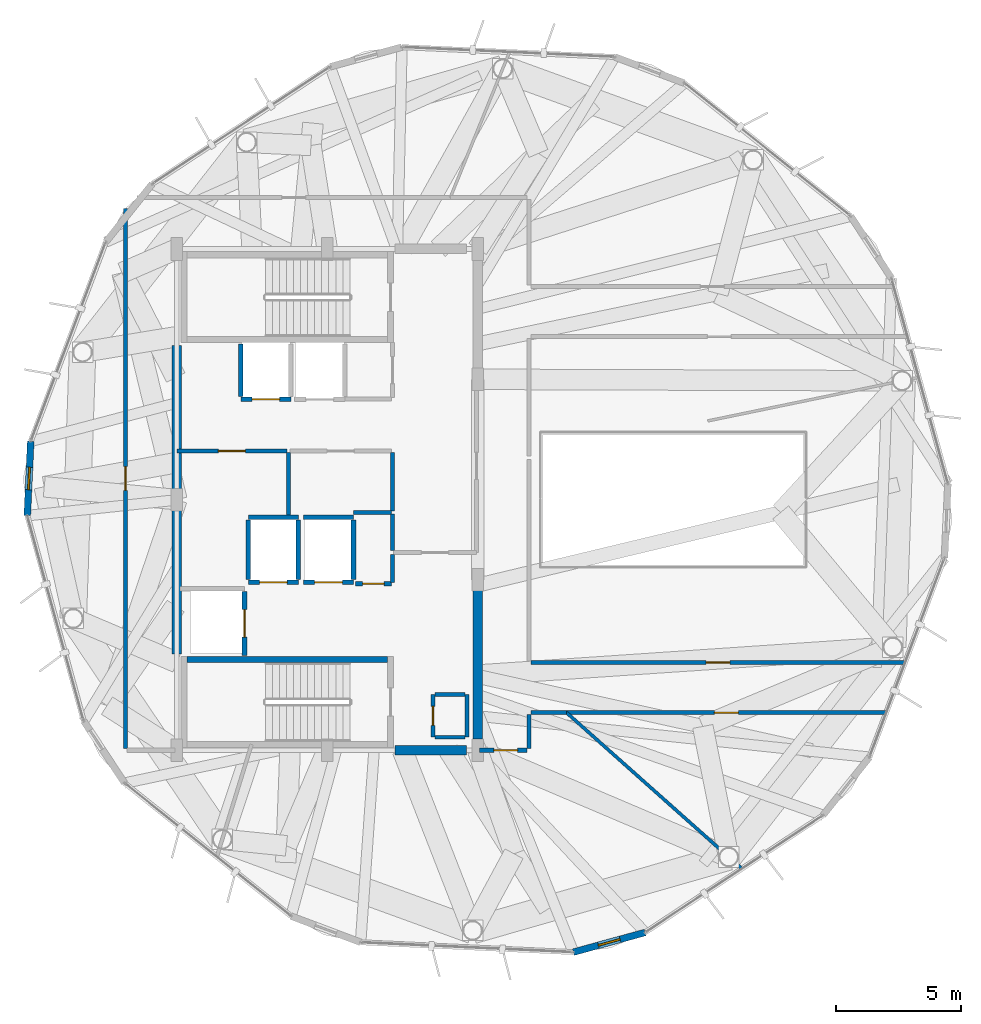
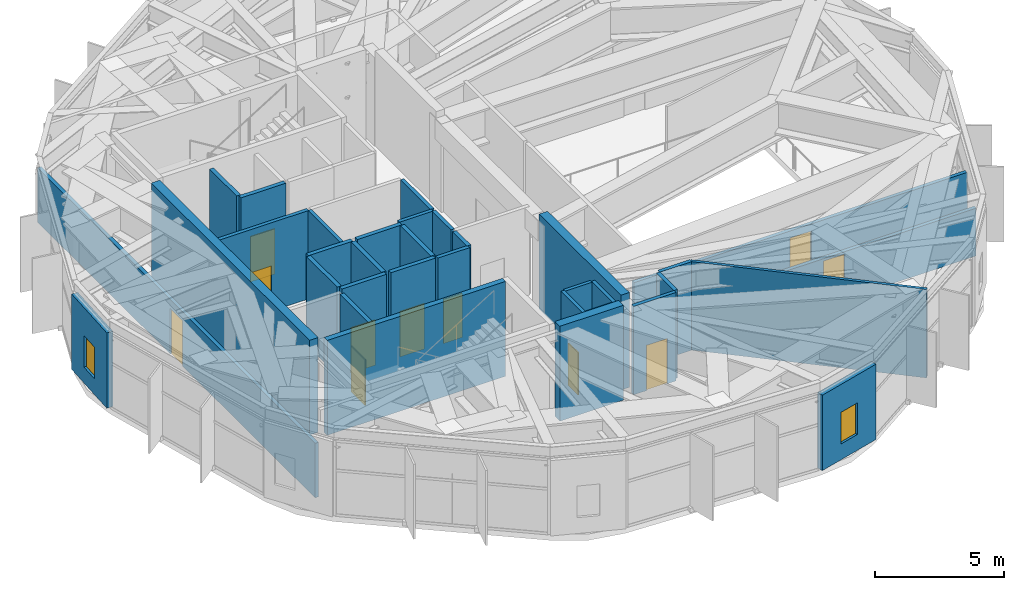
# One storey, part 22 of 27: 34 walls, 11 doors, 2 windows, 13 openings.
"""IFC4 building model written with IfcOpenShell, lengths in metres."""

import ifcopenshell
import ifcopenshell.guid

model = None  # the IFC model being written
_history = None  # IfcOwnerHistory: only IFC2X3 demands one
_inside = {}  # id of a spatial element -> (the spatial element, [elements in it])
_under = {}  # id of a project, library or spatial element -> (it, [spatial elements below it])
_declared = {}  # id of a project -> (the project, [libraries it declares])
_typed = {}  # id of a type object -> (the type object, [elements of that type])
_made_of = {}  # id of a material, layer set ... -> (it, [elements and type objects made of it])


def new_model(schema):
    """Start an empty IFC model of exactly this schema.

    Asked for "IFC4X3", IfcOpenShell would pick the latest addendum, in which some entities
    have other attributes; the version numbers below select the first issue.
    IFC2X3 requires an IfcOwnerHistory on every rooted entity: one is made here for all.
    """
    global model, _history
    if schema == "IFC4X3":
        model = ifcopenshell.file(schema_version=(4, 3, 0, 0))
    else:
        model = ifcopenshell.file(schema=schema)
    _inside.clear()
    _under.clear()
    _declared.clear()
    _typed.clear()
    _made_of.clear()
    _history = None
    if model.schema == "IFC2X3":
        org = make("IfcOrganization", Name="unknown")
        user = make(
            "IfcPersonAndOrganization",
            ThePerson=make("IfcPerson", FamilyName="unknown"),
            TheOrganization=org,
        )
        app = make(
            "IfcApplication",
            ApplicationDeveloper=org,
            Version="unknown",
            ApplicationFullName="unknown",
            ApplicationIdentifier="unknown",
        )
        _history = make(
            "IfcOwnerHistory",
            OwningUser=user,
            OwningApplication=app,
            ChangeAction="ADDED",
            CreationDate=0,
        )
    return model


def make(cls, **values):
    """One entity of the class cls with the attributes given. An attribute that is None is left unset."""
    return model.create_entity(
        cls, **{name: value for name, value in values.items() if value is not None}
    )


def rooted(cls, **values):
    """An entity with a GlobalId (a new one), such as an element, a storey or a relation."""
    return make(cls, GlobalId=ifcopenshell.guid.new(), OwnerHistory=_history, **values)


def si_unit(unit_type, name, prefix=None):
    """IfcSIUnit, for example si_unit("LENGTHUNIT", "METRE", prefix="MILLI")."""
    return make("IfcSIUnit", UnitType=unit_type, Prefix=prefix, Name=name)


def assignment(units):
    """IfcUnitAssignment: the units of a project."""
    return None if units is None else make("IfcUnitAssignment", Units=units)


def point(xyz):
    """IfcCartesianPoint."""
    return None if xyz is None else make("IfcCartesianPoint", Coordinates=xyz)


def direction(xyz):
    """IfcDirection."""
    return None if xyz is None else make("IfcDirection", DirectionRatios=xyz)


def frame(location, z_axis=None, x_axis=None):
    """IfcAxis2Placement3D, a coordinate frame: its origin and axes. An axis left out is left unset."""
    return make(
        "IfcAxis2Placement3D",
        Location=point(location),
        Axis=direction(z_axis),
        RefDirection=direction(x_axis),
    )


def frame_2d(location, x_axis=None):
    """IfcAxis2Placement2D, a coordinate frame in the plane: its origin and x axis."""
    return make(
        "IfcAxis2Placement2D", Location=point(location), RefDirection=direction(x_axis)
    )


def origin():
    """The frame at (0, 0, 0) with its axes left unset."""
    return frame((0.0, 0.0, 0.0))


def place(relative_to, where):
    """IfcLocalPlacement: puts the frame where relative to a parent placement (None: the world)."""
    return make(
        "IfcLocalPlacement", PlacementRelTo=relative_to, RelativePlacement=where
    )


def context(
    kind, dimensions, precision=None, world=None, true_north=None, identifier=None
):
    """IfcGeometricRepresentationContext, for example the 3D "Model" context."""
    return make(
        "IfcGeometricRepresentationContext",
        ContextIdentifier=identifier,
        ContextType=kind,
        CoordinateSpaceDimension=dimensions,
        Precision=precision,
        WorldCoordinateSystem=world,
        TrueNorth=true_north,
    )


def subcontext(parent, identifier, kind, view, scale=None):
    """IfcGeometricRepresentationSubContext, for example "Body" below "Model"."""
    return make(
        "IfcGeometricRepresentationSubContext",
        ContextIdentifier=identifier,
        ContextType=kind,
        ParentContext=parent,
        TargetScale=scale,
        TargetView=view,
    )


def project(units=None, contexts=None):
    """IfcProject with its units and contexts."""
    return rooted(
        "IfcProject",
        Name="project",
        RepresentationContexts=contexts,
        UnitsInContext=assignment(units),
    )


def spatial(cls, under=None, at=None, **own):
    """A site, building, storey or space (cls), placed at a placement, below another one or the project."""
    s = rooted(cls, ObjectPlacement=at, **own)
    if under is not None:
        _under.setdefault(under.id(), (under, []))[1].append(s)
    return s


def profile(cls, at=None, kind="AREA", **sizes):
    """A parametric profile (cls). Its sizes go by their IFC names, for example OverallWidth=200.0."""
    return make(cls, ProfileType=kind, Position=at, **sizes)


def rectangle(**sizes):
    """IfcRectangleProfileDef."""
    return profile("IfcRectangleProfileDef", **sizes)


def extrude(swept, where, along, depth):
    """IfcExtrudedAreaSolid: the profile swept, set in the frame where, extruded along a direction by depth."""
    return make(
        "IfcExtrudedAreaSolid",
        SweptArea=swept,
        Position=where,
        ExtrudedDirection=direction(along),
        Depth=depth,
    )


def shape(context_of_items, identifier, shape_type, items):
    """IfcShapeRepresentation: the items that make up one representation, for example the "Body"."""
    return make(
        "IfcShapeRepresentation",
        ContextOfItems=context_of_items,
        RepresentationIdentifier=identifier,
        RepresentationType=shape_type,
        Items=items,
    )


def material(Name=None, Category=None):
    """IfcMaterial."""
    return make("IfcMaterial", Name=Name, Category=Category)


def layer(
    of_material, thickness, ventilated=None, Name=None, Category=None, Priority=None
):
    """IfcMaterialLayer: one layer of a wall or slab, of a material (None: an air gap)."""
    return make(
        "IfcMaterialLayer",
        Material=of_material,
        LayerThickness=thickness,
        IsVentilated=ventilated,
        Name=Name,
        Category=Category,
        Priority=Priority,
    )


def layer_set(layers, Name=None):
    """IfcMaterialLayerSet."""
    return make("IfcMaterialLayerSet", MaterialLayers=layers, LayerSetName=Name)


def made_of(thing, what):
    """Note that an element or type object is made of a material, layer set ...; save() writes the relation."""
    if what is not None:
        _made_of.setdefault(what.id(), (what, []))[1].append(thing)
    return thing


def type_object(cls, material=None, **own):
    """A type object (cls), such as IfcWallType, which elements share."""
    return made_of(rooted(cls, **own), material)


def element(
    cls,
    number,
    at=None,
    inside=None,
    cuts=None,
    type_object=None,
    material=None,
    context=None,
    identifier="Body",
    shape_type=None,
    held_by="IfcProductDefinitionShape",
    body=None,
    shapes=None,
    **own,
):
    """One element of the class cls, such as IfcWall. Its Tag is "e" and its number.

    at: its placement. inside: the storey or other place that contains it. cuts: it is an
    opening in that element (IfcRelVoidsElement). A single representation is given by context,
    identifier, shape_type and body (its items); several are given by shapes. held_by: the class
    of the entity that holds the representations. save() writes the other relations.
    """
    e = rooted(cls, Tag="e%d" % number, ObjectPlacement=at, **own)
    if body is not None:
        shapes = [shape(context, identifier, shape_type, body)]
    if shapes is not None:
        e.Representation = make(held_by, Representations=shapes)
    if inside is not None:
        _inside.setdefault(inside.id(), (inside, []))[1].append(e)
    if cuts is not None:
        rooted(
            "IfcRelVoidsElement", RelatingBuildingElement=cuts, RelatedOpeningElement=e
        )
    if type_object is not None:
        _typed.setdefault(type_object.id(), (type_object, []))[1].append(e)
    return made_of(e, material)


def fill(opening, filler):
    """IfcRelFillsElement: the door or window that sits in an opening."""
    return rooted(
        "IfcRelFillsElement",
        RelatingOpeningElement=opening,
        RelatedBuildingElement=filler,
    )


def aggregate(whole, parts):
    """IfcRelAggregates: a whole, such as a stair, and the parts it consists of."""
    return rooted("IfcRelAggregates", RelatingObject=whole, RelatedObjects=parts)


def save(model, path):
    """Write the relations noted so far, then the file.

    IfcRelAggregates (storeys below a building ...), IfcRelContainedInSpatialStructure (elements
    in a storey), IfcRelDefinesByType, IfcRelAssociatesMaterial and IfcRelDeclares: one each for
    every whole, place, type object, material and project.
    """
    for whole, parts in _under.values():
        aggregate(whole, parts)
    for where, things in _inside.values():
        rooted(
            "IfcRelContainedInSpatialStructure",
            RelatedElements=things,
            RelatingStructure=where,
        )
    for kind, things in _typed.values():
        rooted("IfcRelDefinesByType", RelatedObjects=things, RelatingType=kind)
    for what, things in _made_of.values():
        rooted("IfcRelAssociatesMaterial", RelatedObjects=things, RelatingMaterial=what)
    for by, libraries in _declared.values():
        rooted("IfcRelDeclares", RelatingContext=by, RelatedDefinitions=libraries)
    model.write(path)


model = new_model("IFC4")

# Units and contexts
model_context = context("Model", 3, precision=1e-05, world=origin(), true_north=direction((0.0, 1.0)))
body_context = subcontext(model_context, "Body", "Model", "MODEL_VIEW")
ifc_project = project(units=[si_unit("LENGTHUNIT", "METRE"), si_unit("AREAUNIT", "SQUARE_METRE"), si_unit("VOLUMEUNIT", "CUBIC_METRE"), si_unit("PLANEANGLEUNIT", "RADIAN"), si_unit("MASSUNIT", "GRAM", prefix="KILO")], contexts=[model_context])

# Site, building, storey
site_placement = place(None, origin())
site = spatial("IfcSite", under=ifc_project, at=site_placement, CompositionType="ELEMENT")
building_placement = place(site_placement, origin())
building = spatial("IfcBuilding", under=site, at=building_placement, Name="Soratama Intermodal Tower", CompositionType="ELEMENT")
storey_placement = place(building_placement, frame((0.0, 0.0, 288.550048828125)))
storey = spatial("IfcBuildingStorey", under=building, at=storey_placement, Name="L73", CompositionType="ELEMENT", Elevation=288.550048828125)

# Wall, opening, window
ifc_material_1 = material(Name="Concrete f'c 42 MPa", Category="concrete")
ifc_layer_1 = layer(ifc_material_1, 0.27001953125)
ifc_layer_set_1 = layer_set([ifc_layer_1], Name="Concrete f'c 42 MPa")
wall_type_1 = type_object("IfcWallType", Name="EW-CRN-270", PredefinedType="SOLIDWALL", material=ifc_layer_set_1)
wall_1_placement = place(storey_placement, frame((26.769775390625, 27.325439453125, 0.0), z_axis=(0.0, 0.0, 1.0), x_axis=(-0.046087078481, -0.998937426067, 0.0)))
wall_1 = element("IfcWall", 1, at=wall_1_placement, inside=storey, type_object=wall_type_1, Name="L73 Corner Closure Wall 03", PredefinedType="SOLIDWALL", context=body_context, shape_type="SweptSolid", body=[
    extrude(rectangle(XDim=2.966552734375, YDim=0.27001953125, at=frame_2d((1.4833984375, 0.0))), origin(), (0.0, 0.0, 1.0), 3.573974609375),
])
opening_1_placement = place(wall_1_placement, frame((1.033203125, 0.0, 0.75)))
opening_1 = element("IfcOpeningElement", 2, at=opening_1_placement, cuts=wall_1, Name="Opening WN-6", PredefinedType="OPENING", context=body_context, shape_type="SweptSolid", body=[
    extrude(rectangle(XDim=0.89990234375, YDim=1.5, at=frame_2d((0.449951171875, 0.75))), frame((0.0, 0.14501953125, 0.0), z_axis=(0.0, -1.0, 0.0), x_axis=(1.0, 0.0, 0.0)), (0.0, 0.0, 1.0), 0.2900390625),
])
ifc_material_2 = material(Name="Double-glazed aluminium window", Category="aluminium")
window_type = type_object("IfcWindowType", Name="WN-FAC-900", PartitioningType="SINGLE_PANEL", PredefinedType="WINDOW", material=ifc_material_2)
window_1_placement = place(opening_1_placement, origin())
window_1 = element("IfcWindow", 3, at=window_1_placement, inside=storey, type_object=window_type, Name="L73 Corner Window 03", OverallHeight=1.5, OverallWidth=0.89990234375, PartitioningType="SINGLE_PANEL", PredefinedType="WINDOW", context=body_context, shape_type="SweptSolid", body=[
    extrude(rectangle(XDim=0.89990234375, YDim=1.5, at=frame_2d((0.449951171875, 0.75))), frame((0.0, 0.030029296875, 0.0), z_axis=(0.0, -1.0, 0.0), x_axis=(1.0, 0.0, 0.0)), (0.0, 0.0, 1.0), 0.06005859375),
])
fill(opening_1, window_1)

wall_2_placement = place(storey_placement, frame((48.421875, 6.943359375, 0.0), z_axis=(0.0, 0.0, 1.0), x_axis=(0.964272165629, 0.264913553056, 0.0)))
wall_2 = element("IfcWall", 4, at=wall_2_placement, inside=storey, type_object=wall_type_1, Name="L73 Corner Closure Wall 06", PredefinedType="SOLIDWALL", context=body_context, shape_type="SweptSolid", body=[
    extrude(rectangle(XDim=2.966552734375, YDim=0.27001953125, at=frame_2d((1.4833984375, 0.0))), origin(), (0.0, 0.0, 1.0), 3.573974609375),
])
opening_2_placement = place(wall_2_placement, frame((1.033203125, 0.0, 0.75)))
opening_2 = element("IfcOpeningElement", 5, at=opening_2_placement, cuts=wall_2, Name="Opening WN-6", PredefinedType="OPENING", context=body_context, shape_type="SweptSolid", body=[
    extrude(rectangle(XDim=0.89990234375, YDim=1.5, at=frame_2d((0.449951171875, 0.75))), frame((0.0, 0.14501953125, 0.0), z_axis=(0.0, -1.0, 0.0), x_axis=(1.0, 0.0, 0.0)), (0.0, 0.0, 1.0), 0.2900390625),
])
window_2_placement = place(opening_2_placement, origin())
window_2 = element("IfcWindow", 6, at=window_2_placement, inside=storey, type_object=window_type, Name="L73 Corner Window 06", OverallHeight=1.5, OverallWidth=0.89990234375, PartitioningType="SINGLE_PANEL", PredefinedType="WINDOW", context=body_context, shape_type="SweptSolid", body=[
    extrude(rectangle(XDim=0.89990234375, YDim=1.5, at=frame_2d((0.449951171875, 0.75))), frame((0.0, 0.030029296875, 0.0), z_axis=(0.0, -1.0, 0.0), x_axis=(1.0, 0.0, 0.0)), (0.0, 0.0, 1.0), 0.06005859375),
])
fill(opening_2, window_2)

# Walls
ifc_material_3 = material(Name="Fire-rated gypsum stud partition", Category="concrete")
ifc_layer_2 = layer(ifc_material_3, 0.14990234375)
ifc_layer_set_2 = layer_set([ifc_layer_2], Name="Fire-rated gypsum stud partition")
wall_type_2 = type_object("IfcWallType", Name="IW-PART-R150", PredefinedType="PARTITIONING", material=ifc_layer_set_2)
for number, where, z_axis, x_axis, name in (
    (7, (42.89990234375, 15.52001953125, 0.0), (0.0, 0.0, 1.0), (1.0, 0.0, 0.0), "L73 Riser Wall S"),
    (8, (42.89990234375, 17.219970703125, 0.0), (0.0, 0.0, 1.0), (1.0, 0.0, 0.0), "L73 Riser Wall N"),
):
    element("IfcWall", number, at=place(storey_placement, frame(where, z_axis=z_axis, x_axis=x_axis)), inside=storey, type_object=wall_type_2, Name=name, PredefinedType="PARTITIONING", context=body_context, shape_type="SweptSolid", body=[
        extrude(rectangle(XDim=1.2001953125, YDim=0.14990234375, at=frame_2d((0.60009765625, 0.0))), origin(), (0.0, 0.0, 1.0), 4.195068359375),
    ])
wall_3_placement = place(storey_placement, frame((44.179931640625, 15.52001953125, 0.0), z_axis=(0.0, 0.0, 1.0), x_axis=(0.0, 1.0, 0.0)))
element("IfcWall", 9, at=wall_3_placement, inside=storey, type_object=wall_type_2, Name="L73 Riser Wall E", PredefinedType="PARTITIONING", context=body_context, shape_type="SweptSolid", body=[
    extrude(rectangle(XDim=1.699951171875, YDim=0.14990234375, at=frame_2d((0.85009765625, 0.0))), origin(), (0.0, 0.0, 1.0), 4.195068359375),
])

# Wall, opening, door
wall_4_placement = place(storey_placement, frame((42.820068359375, 15.52001953125, 0.0), z_axis=(0.0, 0.0, 1.0), x_axis=(0.0, 1.0, 0.0)))
wall_4 = element("IfcWall", 10, at=wall_4_placement, inside=storey, type_object=wall_type_2, Name="L73 Riser Front Wall", PredefinedType="PARTITIONING", context=body_context, shape_type="SweptSolid", body=[
    extrude(rectangle(XDim=1.699951171875, YDim=0.14990234375, at=frame_2d((0.85009765625, 0.0))), origin(), (0.0, 0.0, 1.0), 4.195068359375),
])
opening_3_placement = place(wall_4_placement, frame((0.469970703125, 0.0, 0.0)))
opening_3 = element("IfcOpeningElement", 11, at=opening_3_placement, cuts=wall_4, Name="Opening TD-1", PredefinedType="OPENING", context=body_context, shape_type="SweptSolid", body=[
    extrude(rectangle(XDim=0.760009765625, YDim=2.0, at=frame_2d((0.3798828125, 1.0))), frame((0.0, 0.0849609375, 0.0), z_axis=(0.0, -1.0, 0.0), x_axis=(1.0, 0.0, 0.0)), (0.0, 0.0, 1.0), 0.169921875),
])
ifc_material_4 = material(Name="Steel fire door", Category="steel")
door_type_1 = type_object("IfcDoorType", Name="DR-RISER-TRAP", OperationType="NOTDEFINED", PredefinedType="TRAPDOOR", material=ifc_material_4)
door_1_placement = place(opening_3_placement, origin())
door_1 = element("IfcDoor", 12, at=door_1_placement, inside=storey, type_object=door_type_1, Name="L73 Riser Inspection Door", OperationType="SINGLE_SWING_LEFT", OverallHeight=2.0, OverallWidth=0.760009765625, PredefinedType="TRAPDOOR", context=body_context, shape_type="SweptSolid", body=[
    extrude(rectangle(XDim=0.760009765625, YDim=2.0, at=frame_2d((0.3798828125, 1.0))), frame((0.0, 0.02490234375, 0.0), z_axis=(0.0, -1.0, 0.0), x_axis=(1.0, 0.0, 0.0)), (0.0, 0.0, 1.0), 0.050048828125),
])
fill(opening_3, door_1)

ifc_material_5 = material(Name="Fire-rated gypsum stud partition", Category="concrete")
ifc_layer_3 = layer(ifc_material_5, 0.159912109375)
ifc_layer_set_3 = layer_set([ifc_layer_3], Name="Fire-rated gypsum stud partition")
wall_type_3 = type_object("IfcWallType", Name="IW-PART-R160", PredefinedType="PARTITIONING", material=ifc_layer_set_3)
wall_5_placement = place(storey_placement, frame((30.550048828125, 15.070068359375, 0.0), z_axis=(0.0, 0.0, 1.0), x_axis=(0.0, 1.0, 0.0)))
wall_5 = element("IfcWall", 13, at=wall_5_placement, inside=storey, type_object=wall_type_3, Name="L73 Partition W-L73-TP001", PredefinedType="PARTITIONING", context=body_context, shape_type="SweptSolid", body=[
    extrude(rectangle(XDim=21.552978515625, YDim=0.159912109375, at=frame_2d((10.7763671875, 0.0))), origin(), (0.0, 0.0, 1.0), 2.5830078125),
])
opening_4_placement = place(wall_5_placement, frame((10.301025390625, 0.0, 0.0)))
opening_4 = element("IfcOpeningElement", 14, at=opening_4_placement, cuts=wall_5, Name="Opening ID-3", PredefinedType="OPENING", context=body_context, shape_type="SweptSolid", body=[
    extrude(rectangle(XDim=0.949951171875, YDim=2.14990234375, at=frame_2d((0.47509765625, 1.074951171875))), frame((0.0, 0.08984375, 0.0), z_axis=(0.0, -1.0, 0.0), x_axis=(1.0, 0.0, 0.0)), (0.0, 0.0, 1.0), 0.179931640625),
])
ifc_material_6 = material(Name="Solid hardwood acoustic door", Category="wood")
door_type_2 = type_object("IfcDoorType", Name="DR-ROOM-950", OperationType="NOTDEFINED", PredefinedType="DOOR", material=ifc_material_6)
door_2_placement = place(opening_4_placement, origin())
door_2 = element("IfcDoor", 15, at=door_2_placement, inside=storey, type_object=door_type_2, Name="L73 Door D-L73-TP001", OperationType="SINGLE_SWING_RIGHT", OverallHeight=2.14990234375, OverallWidth=0.949951171875, PredefinedType="DOOR", context=body_context, shape_type="SweptSolid", body=[
    extrude(rectangle(XDim=0.949951171875, YDim=2.14990234375, at=frame_2d((0.47509765625, 1.074951171875))), frame((0.0, 0.02490234375, 0.0), z_axis=(0.0, -1.0, 0.0), x_axis=(1.0, 0.0, 0.0)), (0.0, 0.0, 1.0), 0.050048828125),
])
fill(opening_4, door_2)

wall_6_placement = place(storey_placement, frame((46.719970703125, 18.5, 0.0), z_axis=(0.0, 0.0, 1.0), x_axis=(1.0, 0.0, 0.0)))
wall_6 = element("IfcWall", 16, at=wall_6_placement, inside=storey, type_object=wall_type_3, Name="L73 Partition W-L73-TP003", PredefinedType="PARTITIONING", context=body_context, shape_type="SweptSolid", body=[
    extrude(rectangle(XDim=14.93798828125, YDim=0.159912109375, at=frame_2d((7.468994140625, 0.0))), origin(), (0.0, 0.0, 1.0), 2.48486328125),
])
opening_5_placement = place(wall_6_placement, frame((6.993896484375, 0.0, 0.0)))
opening_5 = element("IfcOpeningElement", 17, at=opening_5_placement, cuts=wall_6, Name="Opening ID-3", PredefinedType="OPENING", context=body_context, shape_type="SweptSolid", body=[
    extrude(rectangle(XDim=0.949951171875, YDim=2.14990234375, at=frame_2d((0.47509765625, 1.074951171875))), frame((0.0, 0.08984375, 0.0), z_axis=(0.0, -1.0, 0.0), x_axis=(1.0, 0.0, 0.0)), (0.0, 0.0, 1.0), 0.179931640625),
])
door_3_placement = place(opening_5_placement, origin())
door_3 = element("IfcDoor", 18, at=door_3_placement, inside=storey, type_object=door_type_2, Name="L73 Door D-L73-TP003", OperationType="SINGLE_SWING_RIGHT", OverallHeight=2.14990234375, OverallWidth=0.949951171875, PredefinedType="DOOR", context=body_context, shape_type="SweptSolid", body=[
    extrude(rectangle(XDim=0.949951171875, YDim=2.14990234375, at=frame_2d((0.47509765625, 1.074951171875))), frame((0.0, 0.02490234375, 0.0), z_axis=(0.0, -1.0, 0.0), x_axis=(1.0, 0.0, 0.0)), (0.0, 0.0, 1.0), 0.050048828125),
])
fill(opening_5, door_3)

wall_7_placement = place(storey_placement, frame((60.904052734375, 16.5, 0.0), z_axis=(0.0, 0.0, 1.0), x_axis=(-1.0, 0.0, 0.0)))
wall_7 = element("IfcWall", 19, at=wall_7_placement, inside=storey, type_object=wall_type_3, Name="L73 Partition W-L73-TP005", PredefinedType="PARTITIONING", context=body_context, shape_type="SweptSolid", body=[
    extrude(rectangle(XDim=12.755126953125, YDim=0.159912109375, at=frame_2d((6.37744140625, 0.0))), origin(), (0.0, 0.0, 1.0), 2.264892578125),
])
opening_6_placement = place(wall_7_placement, frame((5.903076171875, 0.0, 0.0)))
opening_6 = element("IfcOpeningElement", 20, at=opening_6_placement, cuts=wall_7, Name="Opening ID-3", PredefinedType="OPENING", context=body_context, shape_type="SweptSolid", body=[
    extrude(rectangle(XDim=0.949951171875, YDim=2.14990234375, at=frame_2d((0.47509765625, 1.074951171875))), frame((0.0, 0.08984375, 0.0), z_axis=(0.0, -1.0, 0.0), x_axis=(1.0, 0.0, 0.0)), (0.0, 0.0, 1.0), 0.179931640625),
])
door_4_placement = place(opening_6_placement, origin())
door_4 = element("IfcDoor", 21, at=door_4_placement, inside=storey, type_object=door_type_2, Name="L73 Door D-L73-TP005", OperationType="SINGLE_SWING_RIGHT", OverallHeight=2.14990234375, OverallWidth=0.949951171875, PredefinedType="DOOR", context=body_context, shape_type="SweptSolid", body=[
    extrude(rectangle(XDim=0.949951171875, YDim=2.14990234375, at=frame_2d((0.47509765625, 1.074951171875))), frame((0.0, 0.02490234375, 0.0), z_axis=(0.0, -1.0, 0.0), x_axis=(1.0, 0.0, 0.0)), (0.0, 0.0, 1.0), 0.050048828125),
])
fill(opening_6, door_4)

wall_8_placement = place(storey_placement, frame((36.989990234375, 26.93994140625, 0.0), z_axis=(0.0, 0.0, 1.0), x_axis=(-1.0, 0.0, 0.0)))
wall_8 = element("IfcWall", 22, at=wall_8_placement, inside=storey, type_object=wall_type_3, Name="L73 Partition W-L73-TP013", PredefinedType="PARTITIONING", context=body_context, shape_type="SweptSolid", body=[
    extrude(rectangle(XDim=4.389892578125, YDim=0.159912109375, at=frame_2d((2.19482421875, 0.0))), origin(), (0.0, 0.0, 1.0), 4.195068359375),
])
opening_7_placement = place(wall_8_placement, frame((1.655029296875, 0.0, 0.0)))
opening_7 = element("IfcOpeningElement", 23, at=opening_7_placement, cuts=wall_8, Name="Opening ID-1", PredefinedType="OPENING", context=body_context, shape_type="SweptSolid", body=[
    extrude(rectangle(XDim=1.080078125, YDim=2.14990234375, at=frame_2d((0.5400390625, 1.074951171875))), frame((0.0, 0.08984375, 0.0), z_axis=(0.0, -1.0, 0.0), x_axis=(1.0, 0.0, 0.0)), (0.0, 0.0, 1.0), 0.179931640625),
])
ifc_material_7 = material(Name="Solid hardwood acoustic door", Category="wood")
door_type_3 = type_object("IfcDoorType", Name="DR-LOB-FD60", OperationType="NOTDEFINED", PredefinedType="DOOR", material=ifc_material_7)
door_5_placement = place(opening_7_placement, origin())
door_5 = element("IfcDoor", 24, at=door_5_placement, inside=storey, type_object=door_type_3, Name="L73 Door D-L73-TP008", OperationType="SINGLE_SWING_LEFT", OverallHeight=2.14990234375, OverallWidth=1.080078125, PredefinedType="DOOR", context=body_context, shape_type="SweptSolid", body=[
    extrude(rectangle(XDim=1.080078125, YDim=2.14990234375, at=frame_2d((0.5400390625, 1.074951171875))), frame((0.0, 0.02490234375, 0.0), z_axis=(0.0, -1.0, 0.0), x_axis=(1.0, 0.0, 0.0)), (0.0, 0.0, 1.0), 0.050048828125),
])
fill(opening_7, door_5)

# Walls
wall_9_placement = place(storey_placement, frame((37.050048828125, 26.8798828125, 0.0), z_axis=(0.0, 0.0, 1.0), x_axis=(0.0, -1.0, 0.0)))
element("IfcWall", 25, at=wall_9_placement, inside=storey, type_object=wall_type_3, Name="L73 Partition W-L73-TP018", PredefinedType="PARTITIONING", context=body_context, shape_type="SweptSolid", body=[
    extrude(rectangle(XDim=2.579833984375, YDim=0.159912109375, at=frame_2d((1.2900390625, 0.0))), origin(), (0.0, 0.0, 1.0), 4.195068359375),
])
wall_10_placement = place(storey_placement, frame((41.199951171875, 24.550048828125, 0.0), z_axis=(0.0, 0.0, 1.0), x_axis=(0.0, 1.0, 0.0)))
element("IfcWall", 26, at=wall_10_placement, inside=storey, type_object=wall_type_3, Name="L73 Partition W-L73-TP019", PredefinedType="PARTITIONING", context=body_context, shape_type="SweptSolid", body=[
    extrude(rectangle(XDim=2.329833984375, YDim=0.159912109375, at=frame_2d((1.1650390625, 0.0))), origin(), (0.0, 0.0, 1.0), 4.195068359375),
])

# Wall, opening, door
wall_11_placement = place(storey_placement, frame((46.580078125, 15.0, 0.0), z_axis=(0.0, 0.0, 1.0), x_axis=(-1.0, 0.0, 0.0)))
wall_11 = element("IfcWall", 27, at=wall_11_placement, inside=storey, type_object=wall_type_3, Name="L73 Partition W-L73-TP022", PredefinedType="PARTITIONING", context=body_context, shape_type="SweptSolid", body=[
    extrude(rectangle(XDim=1.91015625, YDim=0.159912109375, at=frame_2d((0.955078125, 0.0))), origin(), (0.0, 0.0, 1.0), 4.195068359375),
])
opening_8_placement = place(wall_11_placement, frame((0.384033203125, 0.0, 0.0)))
opening_8 = element("IfcOpeningElement", 28, at=opening_8_placement, cuts=wall_11, Name="Opening ID-3", PredefinedType="OPENING", context=body_context, shape_type="SweptSolid", body=[
    extrude(rectangle(XDim=0.949951171875, YDim=2.14990234375, at=frame_2d((0.47509765625, 1.074951171875))), frame((0.0, 0.08984375, 0.0), z_axis=(0.0, -1.0, 0.0), x_axis=(1.0, 0.0, 0.0)), (0.0, 0.0, 1.0), 0.179931640625),
])
door_6_placement = place(opening_8_placement, origin())
door_6 = element("IfcDoor", 29, at=door_6_placement, inside=storey, type_object=door_type_2, Name="L73 Door D-L73-TP012", OperationType="SINGLE_SWING_LEFT", OverallHeight=2.14990234375, OverallWidth=0.949951171875, PredefinedType="DOOR", context=body_context, shape_type="SweptSolid", body=[
    extrude(rectangle(XDim=0.949951171875, YDim=2.14990234375, at=frame_2d((0.47509765625, 1.074951171875))), frame((0.0, 0.02490234375, 0.0), z_axis=(0.0, -1.0, 0.0), x_axis=(1.0, 0.0, 0.0)), (0.0, 0.0, 1.0), 0.050048828125),
])
fill(opening_8, door_6)

# Walls
wall_12_placement = place(storey_placement, frame((39.64990234375, 24.485107421875, 0.0), z_axis=(0.0, 0.0, 1.0), x_axis=(1.0, 0.0, 0.0)))
element("IfcWall", 30, at=wall_12_placement, inside=storey, type_object=wall_type_3, Name="L73 Partition W-L73-TP024", PredefinedType="PARTITIONING", context=body_context, shape_type="SweptSolid", body=[
    extrude(rectangle(XDim=1.510009765625, YDim=0.159912109375, at=frame_2d((0.7548828125, 0.0))), origin(), (0.0, 0.0, 1.0), 4.195068359375),
])
wall_13_placement = place(storey_placement, frame((41.199951171875, 22.9599609375, 0.0), z_axis=(0.0, 0.0, 1.0), x_axis=(0.0, 1.0, 0.0)))
element("IfcWall", 31, at=wall_13_placement, inside=storey, type_object=wall_type_3, Name="L73 Partition W-L73-TP025", PredefinedType="PARTITIONING", context=body_context, shape_type="SweptSolid", body=[
    extrude(rectangle(XDim=1.4599609375, YDim=0.159912109375, at=frame_2d((0.72998046875, 0.0))), origin(), (0.0, 0.0, 1.0), 4.195068359375),
])
wall_14_placement = place(storey_placement, frame((48.14892578125, 16.5, 0.0), z_axis=(0.0, 0.0, 1.0), x_axis=(-1.0, 0.0, 0.0)))
element("IfcWall", 32, at=wall_14_placement, inside=storey, type_object=wall_type_3, Name="L73 Partition W-L73-TP027", PredefinedType="PARTITIONING", context=body_context, shape_type="SweptSolid", body=[
    extrude(rectangle(XDim=1.428955078125, YDim=0.159912109375, at=frame_2d((0.71435546875, 0.0))), origin(), (0.0, 0.0, 1.0), 4.195068359375),
])
wall_15_placement = place(storey_placement, frame((46.64990234375, 16.429931640625, 0.0), z_axis=(0.0, 0.0, 1.0), x_axis=(0.0, -1.0, 0.0)))
element("IfcWall", 33, at=wall_15_placement, inside=storey, type_object=wall_type_3, Name="L73 Partition W-L73-TP028", PredefinedType="PARTITIONING", context=body_context, shape_type="SweptSolid", body=[
    extrude(rectangle(XDim=1.35986328125, YDim=0.159912109375, at=frame_2d((0.679931640625, 0.0))), origin(), (0.0, 0.0, 1.0), 4.195068359375),
])

# Wall, opening, door
ifc_material_8 = material(Name="Fire-rated gypsum stud partition", Category="concrete")
ifc_layer_4 = layer(ifc_material_8, 0.169921875)
ifc_layer_set_4 = layer_set([ifc_layer_4], Name="Fire-rated gypsum stud partition")
wall_type_4 = type_object("IfcWallType", Name="IW-PART-R170", PredefinedType="PARTITIONING", material=ifc_layer_set_4)
wall_16_placement = place(storey_placement, frame((39.719970703125, 21.639892578125, 0.0), z_axis=(0.0, 0.0, 1.0), x_axis=(1.0, 0.0, 0.0)))
wall_16 = element("IfcWall", 34, at=wall_16_placement, inside=storey, type_object=wall_type_4, Name="L73 Partition W-L73-TP026", PredefinedType="PARTITIONING", context=body_context, shape_type="SweptSolid", body=[
    extrude(rectangle(XDim=1.43994140625, YDim=0.169921875, at=frame_2d((0.719970703125, 0.0))), origin(), (0.0, 0.0, 1.0), 4.195068359375),
])
opening_9_placement = place(wall_16_placement, frame((0.294921875, 0.0, 0.0)))
opening_9 = element("IfcOpeningElement", 35, at=opening_9_placement, cuts=wall_16, Name="Opening ID-4", PredefinedType="OPENING", context=body_context, shape_type="SweptSolid", body=[
    extrude(rectangle(XDim=0.85009765625, YDim=2.10009765625, at=frame_2d((0.425048828125, 1.050048828125))), frame((0.0, 0.094970703125, 0.0), z_axis=(0.0, -1.0, 0.0), x_axis=(1.0, 0.0, 0.0)), (0.0, 0.0, 1.0), 0.18994140625),
])
ifc_material_9 = material(Name="Solid hardwood acoustic door", Category="wood")
door_type_4 = type_object("IfcDoorType", Name="DR-BATH-850", OperationType="NOTDEFINED", PredefinedType="DOOR", material=ifc_material_9)
door_7_placement = place(opening_9_placement, origin())
door_7 = element("IfcDoor", 36, at=door_7_placement, inside=storey, type_object=door_type_4, Name="L73 Door D-L73-TP013", OperationType="SINGLE_SWING_RIGHT", OverallHeight=2.10009765625, OverallWidth=0.85009765625, PredefinedType="DOOR", context=body_context, shape_type="SweptSolid", body=[
    extrude(rectangle(XDim=0.85009765625, YDim=2.10009765625, at=frame_2d((0.425048828125, 1.050048828125))), frame((0.0, 0.02490234375, 0.0), z_axis=(0.0, -1.0, 0.0), x_axis=(1.0, 0.0, 0.0)), (0.0, 0.0, 1.0), 0.050048828125),
])
fill(opening_9, door_7)

# Walls
wall_17_placement = place(storey_placement, frame((41.199951171875, 21.699951171875, 0.0), z_axis=(0.0, 0.0, 1.0), x_axis=(0.0, 1.0, 0.0)))
element("IfcWall", 37, at=wall_17_placement, inside=storey, type_object=wall_type_4, Name="L73 Partition W-L73-TP029", PredefinedType="PARTITIONING", context=body_context, shape_type="SweptSolid", body=[
    extrude(rectangle(XDim=1.1201171875, YDim=0.169921875, at=frame_2d((0.56005859375, 0.0))), origin(), (0.0, 0.0, 1.0), 4.195068359375),
])
ifc_material_10 = material(Name="Fire-rated gypsum stud partition", Category="concrete")
ifc_layer_5 = layer(ifc_material_10, 0.1298828125)
ifc_layer_set_5 = layer_set([ifc_layer_5], Name="Fire-rated gypsum stud partition")
wall_type_5 = type_object("IfcWallType", Name="IW-PART-S130", PredefinedType="PARTITIONING", material=ifc_layer_set_5)
wall_18_placement = place(storey_placement, frame((48.14892578125, 16.5, 0.0), z_axis=(0.0, 0.0, 1.0), x_axis=(0.746871195019, -0.664968734641, 0.0)))
element("IfcWall", 38, at=wall_18_placement, inside=storey, type_object=wall_type_5, Name="L73 Partition W-L73-TP007", PredefinedType="PARTITIONING", context=body_context, shape_type="SweptSolid", body=[
    extrude(rectangle(XDim=9.365966796875, YDim=0.1298828125, at=frame_2d((4.68310546875, 0.0))), origin(), (0.0, 0.0, 1.0), 4.195068359375),
])

# Wall, opening, door
ifc_material_11 = material(Name="Concrete f'c 42 MPa", Category="concrete")
ifc_layer_6 = layer(ifc_material_11, 0.18505859375)
ifc_layer_set_6 = layer_set([ifc_layer_6], Name="Concrete f'c 42 MPa")
wall_type_6 = type_object("IfcWallType", Name="IW-SHAFT-185", PredefinedType="SOLIDWALL", material=ifc_layer_set_6)
wall_19_placement = place(storey_placement, frame((35.449951171875, 21.699951171875, 0.0), z_axis=(0.0, 0.0, 1.0), x_axis=(1.0, 0.0, 0.0)))
wall_19 = element("IfcWall", 39, at=wall_19_placement, inside=storey, type_object=wall_type_6, Name="L73 FFL-1 Hoistway Wall S", PredefinedType="SOLIDWALL", context=body_context, shape_type="SweptSolid", body=[
    extrude(rectangle(XDim=2.0, YDim=0.18505859375, at=frame_2d((1.0, 0.0))), origin(), (0.0, 0.0, 1.0), 4.195068359375),
])
opening_10_placement = place(wall_19_placement, frame((0.449951171875, 0.0, 0.0)))
opening_10 = element("IfcOpeningElement", 40, at=opening_10_placement, cuts=wall_19, Name="Opening LD-1", PredefinedType="OPENING", context=body_context, shape_type="SweptSolid", body=[
    extrude(rectangle(XDim=1.10009765625, YDim=2.14990234375, at=frame_2d((0.550048828125, 1.074951171875))), frame((0.0, 0.1025390625, 0.0), z_axis=(0.0, -1.0, 0.0), x_axis=(1.0, 0.0, 0.0)), (0.0, 0.0, 1.0), 0.205078125),
])
ifc_material_12 = material(Name="Steel fire door", Category="steel")
door_type_5 = type_object("IfcDoorType", Name="DR-LIFT-SLIDE", OperationType="NOTDEFINED", PredefinedType="DOOR", material=ifc_material_12)
door_8_placement = place(opening_10_placement, origin())
door_8 = element("IfcDoor", 41, at=door_8_placement, inside=storey, type_object=door_type_5, Name="L73 FFL-1 Sliding Landing Door", OperationType="SLIDING_TO_LEFT", OverallHeight=2.14990234375, OverallWidth=1.10009765625, PredefinedType="DOOR", context=body_context, shape_type="SweptSolid", body=[
    extrude(rectangle(XDim=1.10009765625, YDim=2.14990234375, at=frame_2d((0.550048828125, 1.074951171875))), frame((0.0, 0.02490234375, 0.0), z_axis=(0.0, -1.0, 0.0), x_axis=(1.0, 0.0, 0.0)), (0.0, 0.0, 1.0), 0.050048828125),
])
fill(opening_10, door_8)

# Walls
wall_20_placement = place(storey_placement, frame((35.449951171875, 24.300048828125, 0.0), z_axis=(0.0, 0.0, 1.0), x_axis=(1.0, 0.0, 0.0)))
element("IfcWall", 42, at=wall_20_placement, inside=storey, type_object=wall_type_6, Name="L73 FFL-1 Hoistway Wall N", PredefinedType="SOLIDWALL", context=body_context, shape_type="SweptSolid", body=[
    extrude(rectangle(XDim=2.0, YDim=0.18505859375, at=frame_2d((1.0, 0.0))), origin(), (0.0, 0.0, 1.0), 4.195068359375),
])
for number, where, z_axis, x_axis, name in (
    (43, (35.449951171875, 21.81005859375, 0.0), (0.0, 0.0, 1.0), (0.0, 1.0, 0.0), "L73 FFL-1 Hoistway Wall W"),
    (44, (37.449951171875, 21.81005859375, 0.0), (0.0, 0.0, 1.0), (0.0, 1.0, 0.0), "L73 FFL-1 Hoistway Wall E"),
):
    element("IfcWall", number, at=place(storey_placement, frame(where, z_axis=z_axis, x_axis=x_axis)), inside=storey, type_object=wall_type_6, Name=name, PredefinedType="SOLIDWALL", context=body_context, shape_type="SweptSolid", body=[
        extrude(rectangle(XDim=2.3798828125, YDim=0.18505859375, at=frame_2d((1.18994140625, 0.0))), origin(), (0.0, 0.0, 1.0), 4.195068359375),
    ])

# Wall, opening, door
wall_21_placement = place(storey_placement, frame((37.64990234375, 21.699951171875, 0.0), z_axis=(0.0, 0.0, 1.0), x_axis=(1.0, 0.0, 0.0)))
wall_21 = element("IfcWall", 45, at=wall_21_placement, inside=storey, type_object=wall_type_6, Name="L73 FFL-2 Hoistway Wall S", PredefinedType="SOLIDWALL", context=body_context, shape_type="SweptSolid", body=[
    extrude(rectangle(XDim=2.0, YDim=0.18505859375, at=frame_2d((1.0, 0.0))), origin(), (0.0, 0.0, 1.0), 4.195068359375),
])
opening_11_placement = place(wall_21_placement, frame((0.449951171875, 0.0, 0.0)))
opening_11 = element("IfcOpeningElement", 46, at=opening_11_placement, cuts=wall_21, Name="Opening LD-1", PredefinedType="OPENING", context=body_context, shape_type="SweptSolid", body=[
    extrude(rectangle(XDim=1.10009765625, YDim=2.14990234375, at=frame_2d((0.550048828125, 1.074951171875))), frame((0.0, 0.1025390625, 0.0), z_axis=(0.0, -1.0, 0.0), x_axis=(1.0, 0.0, 0.0)), (0.0, 0.0, 1.0), 0.205078125),
])
door_9_placement = place(opening_11_placement, origin())
door_9 = element("IfcDoor", 47, at=door_9_placement, inside=storey, type_object=door_type_5, Name="L73 FFL-2 Sliding Landing Door", OperationType="SLIDING_TO_LEFT", OverallHeight=2.14990234375, OverallWidth=1.10009765625, PredefinedType="DOOR", context=body_context, shape_type="SweptSolid", body=[
    extrude(rectangle(XDim=1.10009765625, YDim=2.14990234375, at=frame_2d((0.550048828125, 1.074951171875))), frame((0.0, 0.02490234375, 0.0), z_axis=(0.0, -1.0, 0.0), x_axis=(1.0, 0.0, 0.0)), (0.0, 0.0, 1.0), 0.050048828125),
])
fill(opening_11, door_9)

# Walls
wall_22_placement = place(storey_placement, frame((37.64990234375, 24.300048828125, 0.0), z_axis=(0.0, 0.0, 1.0), x_axis=(1.0, 0.0, 0.0)))
element("IfcWall", 48, at=wall_22_placement, inside=storey, type_object=wall_type_6, Name="L73 FFL-2 Hoistway Wall N", PredefinedType="SOLIDWALL", context=body_context, shape_type="SweptSolid", body=[
    extrude(rectangle(XDim=2.0, YDim=0.18505859375, at=frame_2d((1.0, 0.0))), origin(), (0.0, 0.0, 1.0), 4.195068359375),
])
wall_23_placement = place(storey_placement, frame((39.64990234375, 21.81005859375, 0.0), z_axis=(0.0, 0.0, 1.0), x_axis=(0.0, 1.0, 0.0)))
element("IfcWall", 49, at=wall_23_placement, inside=storey, type_object=wall_type_6, Name="L73 FFL-2 Hoistway Wall E", PredefinedType="SOLIDWALL", context=body_context, shape_type="SweptSolid", body=[
    extrude(rectangle(XDim=2.3798828125, YDim=0.18505859375, at=frame_2d((1.18994140625, 0.0))), origin(), (0.0, 0.0, 1.0), 4.195068359375),
])

# Wall, opening, door
wall_24_placement = place(storey_placement, frame((35.300048828125, 18.7900390625, 0.0), z_axis=(0.0, 0.0, 1.0), x_axis=(0.0, 1.0, 0.0)))
wall_24 = element("IfcWall", 50, at=wall_24_placement, inside=storey, type_object=wall_type_6, Name="L73 SVL-1 Hoistway Wall E", PredefinedType="SOLIDWALL", context=body_context, shape_type="SweptSolid", body=[
    extrude(rectangle(XDim=2.550048828125, YDim=0.18505859375, at=frame_2d((1.27490234375, 0.0))), origin(), (0.0, 0.0, 1.0), 4.195068359375),
])
opening_12_placement = place(wall_24_placement, frame((0.72509765625, 0.0, 0.0)))
opening_12 = element("IfcOpeningElement", 51, at=opening_12_placement, cuts=wall_24, Name="Opening LD-1", PredefinedType="OPENING", context=body_context, shape_type="SweptSolid", body=[
    extrude(rectangle(XDim=1.10009765625, YDim=2.14990234375, at=frame_2d((0.550048828125, 1.074951171875))), frame((0.0, 0.1025390625, 0.0), z_axis=(0.0, -1.0, 0.0), x_axis=(1.0, 0.0, 0.0)), (0.0, 0.0, 1.0), 0.205078125),
])
door_10_placement = place(opening_12_placement, origin())
door_10 = element("IfcDoor", 52, at=door_10_placement, inside=storey, type_object=door_type_5, Name="L73 SVL-1 Sliding Landing Door", OperationType="SLIDING_TO_LEFT", OverallHeight=2.14990234375, OverallWidth=1.10009765625, PredefinedType="DOOR", context=body_context, shape_type="SweptSolid", body=[
    extrude(rectangle(XDim=1.10009765625, YDim=2.14990234375, at=frame_2d((0.550048828125, 1.074951171875))), frame((0.0, 0.02490234375, 0.0), z_axis=(0.0, -1.0, 0.0), x_axis=(1.0, 0.0, 0.0)), (0.0, 0.0, 1.0), 0.050048828125),
])
fill(opening_12, door_10)

wall_25_placement = place(storey_placement, frame((35.14990234375, 29.0, 0.0), z_axis=(0.0, 0.0, 1.0), x_axis=(1.0, 0.0, 0.0)))
wall_25 = element("IfcWall", 53, at=wall_25_placement, inside=storey, type_object=wall_type_6, Name="L73 PL-H1 Hoistway Wall S", PredefinedType="SOLIDWALL", context=body_context, shape_type="SweptSolid", body=[
    extrude(rectangle(XDim=2.0, YDim=0.18505859375, at=frame_2d((1.0, 0.0))), origin(), (0.0, 0.0, 1.0), 4.195068359375),
])
opening_13_placement = place(wall_25_placement, frame((0.449951171875, 0.0, 0.0)))
opening_13 = element("IfcOpeningElement", 54, at=opening_13_placement, cuts=wall_25, Name="Opening LD-1", PredefinedType="OPENING", context=body_context, shape_type="SweptSolid", body=[
    extrude(rectangle(XDim=1.10009765625, YDim=2.14990234375, at=frame_2d((0.550048828125, 1.074951171875))), frame((0.0, 0.1025390625, 0.0), z_axis=(0.0, -1.0, 0.0), x_axis=(1.0, 0.0, 0.0)), (0.0, 0.0, 1.0), 0.205078125),
])
door_11_placement = place(opening_13_placement, origin())
door_11 = element("IfcDoor", 55, at=door_11_placement, inside=storey, type_object=door_type_5, Name="L73 PL-H1 Sliding Landing Door", OperationType="SLIDING_TO_LEFT", OverallHeight=2.14990234375, OverallWidth=1.10009765625, PredefinedType="DOOR", context=body_context, shape_type="SweptSolid", body=[
    extrude(rectangle(XDim=1.10009765625, YDim=2.14990234375, at=frame_2d((0.550048828125, 1.074951171875))), frame((0.0, 0.02490234375, 0.0), z_axis=(0.0, -1.0, 0.0), x_axis=(1.0, 0.0, 0.0)), (0.0, 0.0, 1.0), 0.050048828125),
])
fill(opening_13, door_11)

# Walls
wall_26_placement = place(storey_placement, frame((35.14990234375, 29.110107421875, 0.0), z_axis=(0.0, 0.0, 1.0), x_axis=(0.0, 1.0, 0.0)))
element("IfcWall", 56, at=wall_26_placement, inside=storey, type_object=wall_type_6, Name="L73 PL-H1 Hoistway Wall W", PredefinedType="SOLIDWALL", context=body_context, shape_type="SweptSolid", body=[
    extrude(rectangle(XDim=2.099853515625, YDim=0.18505859375, at=frame_2d((1.0498046875, 0.0))), origin(), (0.0, 0.0, 1.0), 4.195068359375),
])
ifc_material_13 = material(Name="Concrete f'c 56 MPa", Category="concrete")
ifc_layer_7 = layer(ifc_material_13, 0.3798828125)
ifc_layer_set_7 = layer_set([ifc_layer_7], Name="Concrete f'c 56 MPa")
wall_type_7 = type_object("IfcWallType", Name="SW-CORE-380", PredefinedType="SHEAR", material=ifc_layer_set_7)
wall_27_placement = place(storey_placement, frame((32.60009765625, 18.85009765625, 0.0), z_axis=(0.0, 0.0, 1.0), x_axis=(0.0, 1.0, 0.0)))
element("IfcWall", 57, at=wall_27_placement, inside=storey, type_object=wall_type_7, Name="L73 Core Shear Wall CW-WMID", PredefinedType="SHEAR", context=body_context, shape_type="SweptSolid", body=[
    extrude(rectangle(XDim=12.2998046875, YDim=0.3798828125, at=frame_2d((6.14990234375, 0.0))), origin(), (0.0, 0.0, 1.0), 4.5),
])
wall_28_placement = place(storey_placement, frame((41.300048828125, 15.0, 0.0), z_axis=(0.0, 0.0, 1.0), x_axis=(1.0, 0.0, 0.0)))
element("IfcWall", 58, at=wall_28_placement, inside=storey, type_object=wall_type_7, Name="L73 Core Shear Wall CW-SE", PredefinedType="SHEAR", context=body_context, shape_type="SweptSolid", body=[
    extrude(rectangle(XDim=2.849853515625, YDim=0.3798828125, at=frame_2d((1.4248046875, 0.0))), origin(), (0.0, 0.0, 1.0), 4.5),
])
wall_29_placement = place(storey_placement, frame((44.60009765625, 15.449951171875, 0.0), z_axis=(0.0, 0.0, 1.0), x_axis=(0.0, 1.0, 0.0)))
element("IfcWall", 59, at=wall_29_placement, inside=storey, type_object=wall_type_7, Name="L73 Core Shear Wall CW-ES", PredefinedType="SHEAR", context=body_context, shape_type="SweptSolid", body=[
    extrude(rectangle(XDim=6.35009765625, YDim=0.3798828125, at=frame_2d((3.175048828125, 0.0))), origin(), (0.0, 0.0, 1.0), 4.5),
])
ifc_material_14 = material(Name="Concrete f'c 56 MPa", Category="concrete")
ifc_layer_8 = layer(ifc_material_14, 0.239990234375)
ifc_layer_set_8 = layer_set([ifc_layer_8], Name="Concrete f'c 56 MPa")
wall_type_8 = type_object("IfcWallType", Name="SW-STAIR-240", PredefinedType="SHEAR", material=ifc_layer_set_8)
wall_30_placement = place(storey_placement, frame((33.0, 18.6201171875, 0.0), z_axis=(0.0, 0.0, 1.0), x_axis=(1.0, 0.0, 0.0)))
element("IfcWall", 60, at=wall_30_placement, inside=storey, type_object=wall_type_8, Name="L73 ST-1 Shaft Shear Wall N", PredefinedType="SHEAR", context=body_context, shape_type="SweptSolid", body=[
    extrude(rectangle(XDim=8.0, YDim=0.239990234375, at=frame_2d((4.0, 0.0))), origin(), (0.0, 0.0, 1.0), 4.5),
])

save(model, "model.ifc")
